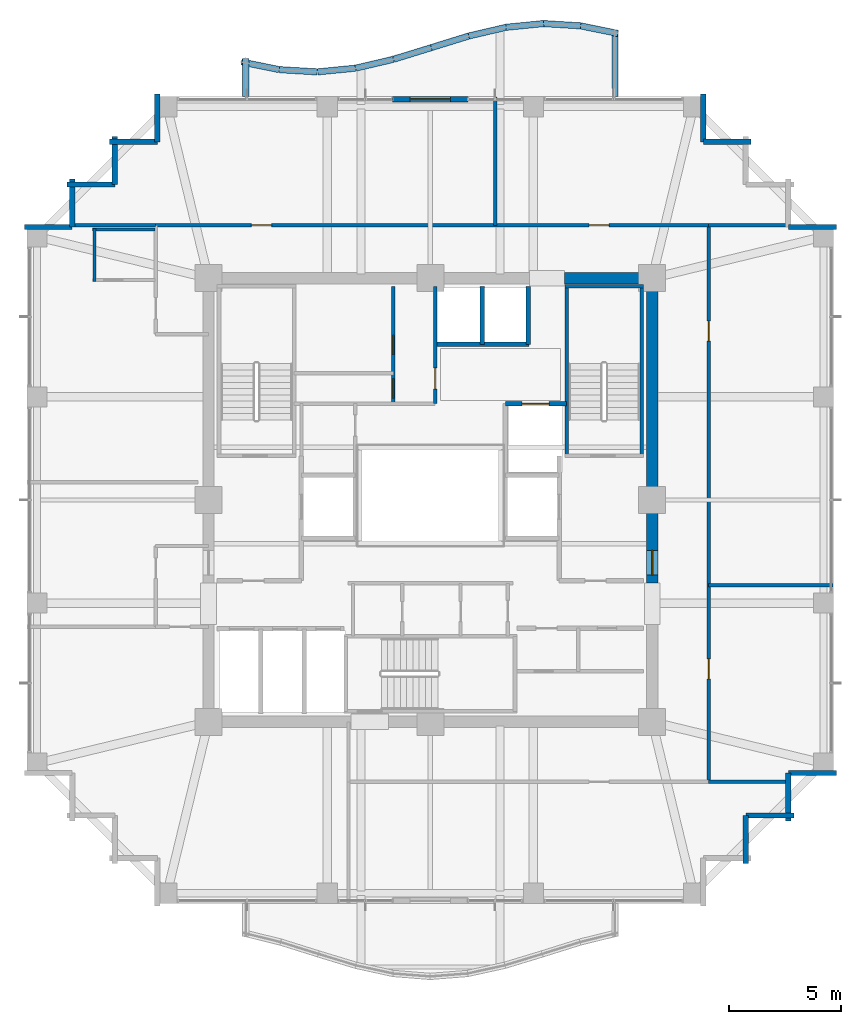
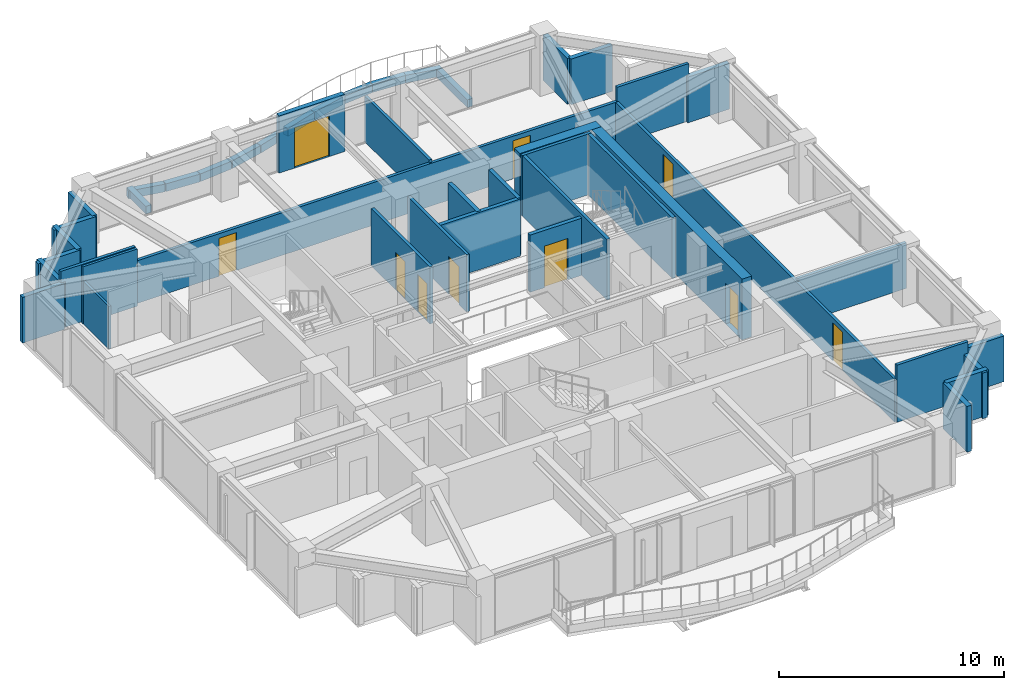
# One storey, part 28 of 31: 46 walls, 10 doors, 10 openings.
"""IFC4 building model written with IfcOpenShell, lengths in metres."""

from ifc_helpers import new_model, si_unit, direction, frame, frame_2d, origin, place, context, subcontext, project, spatial, rectangle, extrude, material, layer, layer_set, type_object, element, fill, save


model = new_model("IFC4")

# Units and contexts
model_context = context("Model", 3, precision=1e-05, world=origin(), true_north=direction((0.0, 1.0)))
body_context = subcontext(model_context, "Body", "Model", "MODEL_VIEW")
ifc_project = project(units=[si_unit("LENGTHUNIT", "METRE"), si_unit("AREAUNIT", "SQUARE_METRE"), si_unit("VOLUMEUNIT", "CUBIC_METRE"), si_unit("PLANEANGLEUNIT", "RADIAN"), si_unit("MASSUNIT", "GRAM", prefix="KILO")], contexts=[model_context])

# Site, building, storey
site_placement = place(None, origin())
site = spatial("IfcSite", under=ifc_project, at=site_placement, CompositionType="ELEMENT")
building_placement = place(site_placement, origin())
building = spatial("IfcBuilding", under=site, at=building_placement, Name="Kolvaren Belvedere", CompositionType="ELEMENT")
storey_placement = place(building_placement, frame((0.0, 0.0, 138.199951171875)))
storey = spatial("IfcBuildingStorey", under=building, at=storey_placement, Name="L40", CompositionType="ELEMENT", Elevation=138.199951171875)

# Wall
ifc_material_1 = material(Name="Concrete C50/60", Category="concrete")
ifc_layer_1 = layer(ifc_material_1, 0.5)
ifc_layer_set_1 = layer_set([ifc_layer_1], Name="Concrete C50/60")
wall_type_1 = type_object("IfcWallType", Name="CW-CORE-500", PredefinedType="SHEAR", material=ifc_layer_set_1)
wall_1_placement = place(storey_placement, frame((5.97998046875, 9.89990234375, 0.0), z_axis=(0.0, 0.0, 1.0), x_axis=(1.0, 0.0, 0.0)))
element("IfcWall", 1, at=wall_1_placement, inside=storey, type_object=wall_type_1, Name="L40 North Core Shear Wall 2", PredefinedType="SHEAR", context=body_context, shape_type="SweptSolid", body=[
    extrude(rectangle(XDim=4.169921875, YDim=0.5, at=frame_2d((2.0849609375, 0.0))), origin(), (0.0, 0.0, 1.0), 3.300048828125),
])

# Wall, opening, door
wall_2_placement = place(storey_placement, frame((9.89990234375, -3.699951171875, 0.0), z_axis=(0.0, 0.0, 1.0), x_axis=(0.0, 1.0, 0.0)))
wall_2 = element("IfcWall", 2, at=wall_2_placement, inside=storey, type_object=wall_type_1, Name="L40 East Core Shear Wall 2", PredefinedType="SHEAR", context=body_context, shape_type="SweptSolid", body=[
    extrude(rectangle(XDim=13.349853515625, YDim=0.5, at=frame_2d((6.6748046875, 0.0))), origin(), (0.0, 0.0, 1.0), 3.300048828125),
])
opening_1_placement = place(wall_2_placement, frame((0.35009765625, 0.0, 0.0)))
opening_1 = element("IfcOpeningElement", 3, at=opening_1_placement, cuts=wall_2, Name="Opening D-FD90", PredefinedType="OPENING", context=body_context, shape_type="SweptSolid", body=[
    extrude(rectangle(XDim=1.10009765625, YDim=2.199951171875, at=frame_2d((0.550048828125, 1.10009765625))), frame((0.0, 0.260009765625, 0.0), z_axis=(0.0, -1.0, 0.0), x_axis=(1.0, 0.0, 0.0)), (0.0, 0.0, 1.0), 0.52001953125),
])
ifc_material_2 = material(Name="Painted hollow stainless steel", Category="steel")
door_type_1 = type_object("IfcDoorType", Name="DR-FD90-1100", OperationType="NOTDEFINED", PredefinedType="DOOR", material=ifc_material_2)
door_1_placement = place(opening_1_placement, origin())
door_1 = element("IfcDoor", 4, at=door_1_placement, inside=storey, type_object=door_type_1, Name="L40 East Firefighting Lobby Fire Door", OperationType="SINGLE_SWING_RIGHT", OverallHeight=2.199951171875, OverallWidth=1.10009765625, PredefinedType="DOOR", context=body_context, shape_type="SweptSolid", body=[
    extrude(rectangle(XDim=1.10009765625, YDim=2.199951171875, at=frame_2d((0.550048828125, 1.10009765625))), frame((0.0, 0.02490234375, 0.0), z_axis=(0.0, -1.0, 0.0), x_axis=(1.0, 0.0, 0.0)), (0.0, 0.0, 1.0), 0.050048828125),
])
fill(opening_1, door_1)

# Walls
ifc_material_3 = material(Name="Concrete C50/60", Category="concrete")
ifc_layer_2 = layer(ifc_material_3, 0.159912109375)
ifc_layer_set_2 = layer_set([ifc_layer_2], Name="Concrete C50/60")
wall_type_2 = type_object("IfcWallType", Name="CW-STAIR-160", PredefinedType="SHEAR", material=ifc_layer_set_2)
wall_3_placement = place(storey_placement, frame((6.0, 9.530029296875, 0.0), z_axis=(0.0, 0.0, 1.0), x_axis=(1.0, 0.0, 0.0)))
element("IfcWall", 5, at=wall_3_placement, inside=storey, type_object=wall_type_2, Name="L40 Stair ST-2 North Shear Wall", PredefinedType="SHEAR", context=body_context, shape_type="SweptSolid", body=[
    extrude(rectangle(XDim=3.52001953125, YDim=0.159912109375, at=frame_2d((1.760009765625, 0.0))), origin(), (0.0, 0.0, 1.0), 3.300048828125),
])
for number, where, z_axis, x_axis, name in (
    (6, (6.080078125, 1.969970703125, 0.0), (0.0, 0.0, 1.0), (0.0, 1.0, 0.0), "L40 Stair ST-2 West Shear Wall"),
    (7, (9.429931640625, 1.969970703125, 0.0), (0.0, 0.0, 1.0), (0.0, 1.0, 0.0), "L40 Stair ST-2 East Shear Wall"),
):
    element("IfcWall", number, at=place(storey_placement, frame(where, z_axis=z_axis, x_axis=x_axis)), inside=storey, type_object=wall_type_2, Name=name, PredefinedType="SHEAR", context=body_context, shape_type="SweptSolid", body=[
        extrude(rectangle(XDim=7.56005859375, YDim=0.159912109375, at=frame_2d((3.780029296875, 0.0))), origin(), (0.0, 0.0, 1.0), 3.300048828125),
    ])

# Wall, openings, doors
ifc_material_4 = material(Name="Gypsum fire-rated partition assembly", Category="gypsum")
ifc_layer_3 = layer(ifc_material_4, 0.14990234375)
ifc_layer_set_3 = layer_set([ifc_layer_3], Name="Gypsum fire-rated partition assembly")
wall_type_3 = type_object("IfcWallType", Name="WL-CORR-150", PredefinedType="PARTITIONING", material=ifc_layer_set_3)
wall_4_placement = place(storey_placement, frame((-12.260009765625, 12.260009765625, 0.0), z_axis=(0.0, 0.0, 1.0), x_axis=(1.0, 0.0, 0.0)))
wall_4 = element("IfcWall", 8, at=wall_4_placement, inside=storey, type_object=wall_type_3, Name="L40 North Corridor Wall", PredefinedType="PARTITIONING", context=body_context, shape_type="SweptSolid", body=[
    extrude(rectangle(XDim=24.679931640625, YDim=0.14990234375, at=frame_2d((12.33984375, 0.0))), origin(), (0.0, 0.0, 1.0), 2.31201171875),
])
opening_2_placement = place(wall_4_placement, frame((4.27490234375, 0.0, 0.0)))
opening_2 = element("IfcOpeningElement", 9, at=opening_2_placement, cuts=wall_4, Name="Opening D-INT90", PredefinedType="OPENING", context=body_context, shape_type="SweptSolid", body=[
    extrude(rectangle(XDim=0.89990234375, YDim=2.06005859375, at=frame_2d((0.449951171875, 1.030029296875))), frame((0.0, 0.0849609375, 0.0), z_axis=(0.0, -1.0, 0.0), x_axis=(1.0, 0.0, 0.0)), (0.0, 0.0, 1.0), 0.169921875),
])
opening_3_placement = place(wall_4_placement, frame((19.344970703125, 0.0, 0.0)))
opening_3 = element("IfcOpeningElement", 10, at=opening_3_placement, cuts=wall_4, Name="Opening D-INT90", PredefinedType="OPENING", context=body_context, shape_type="SweptSolid", body=[
    extrude(rectangle(XDim=0.89990234375, YDim=2.06005859375, at=frame_2d((0.449951171875, 1.030029296875))), frame((0.0, 0.0849609375, 0.0), z_axis=(0.0, -1.0, 0.0), x_axis=(1.0, 0.0, 0.0)), (0.0, 0.0, 1.0), 0.169921875),
])
ifc_material_5 = material(Name="Stained Pacific white oak", Category="timber")
door_type_2 = type_object("IfcDoorType", Name="DR-INT-900", OperationType="NOTDEFINED", PredefinedType="DOOR", material=ifc_material_5)
door_2_placement = place(opening_2_placement, origin())
door_2 = element("IfcDoor", 11, at=door_2_placement, inside=storey, type_object=door_type_2, Name="L40 Lounge 4001 Door", OperationType="SINGLE_SWING_LEFT", OverallHeight=2.06005859375, OverallWidth=0.89990234375, PredefinedType="DOOR", context=body_context, shape_type="SweptSolid", body=[
    extrude(rectangle(XDim=0.89990234375, YDim=2.06005859375, at=frame_2d((0.449951171875, 1.030029296875))), frame((0.0, 0.02490234375, 0.0), z_axis=(0.0, -1.0, 0.0), x_axis=(1.0, 0.0, 0.0)), (0.0, 0.0, 1.0), 0.050048828125),
])
fill(opening_2, door_2)
door_3_placement = place(opening_3_placement, origin())
door_3 = element("IfcDoor", 12, at=door_3_placement, inside=storey, type_object=door_type_2, Name="L40 Guest Tea & Espresso Kitchen 4002 Door", OperationType="SINGLE_SWING_RIGHT", OverallHeight=2.06005859375, OverallWidth=0.89990234375, PredefinedType="DOOR", context=body_context, shape_type="SweptSolid", body=[
    extrude(rectangle(XDim=0.89990234375, YDim=2.06005859375, at=frame_2d((0.449951171875, 1.030029296875))), frame((0.0, 0.02490234375, 0.0), z_axis=(0.0, -1.0, 0.0), x_axis=(1.0, 0.0, 0.0)), (0.0, 0.0, 1.0), 0.050048828125),
])
fill(opening_3, door_3)

wall_5_placement = place(storey_placement, frame((12.419921875, -12.580078125, 0.0), z_axis=(0.0, 0.0, 1.0), x_axis=(0.0, 1.0, 0.0)))
wall_5 = element("IfcWall", 13, at=wall_5_placement, inside=storey, type_object=wall_type_3, Name="L40 East Corridor Wall", PredefinedType="PARTITIONING", context=body_context, shape_type="SweptSolid", body=[
    extrude(rectangle(XDim=24.840087890625, YDim=0.14990234375, at=frame_2d((12.419921875, 0.0))), origin(), (0.0, 0.0, 1.0), 2.31201171875),
])
opening_4_placement = place(wall_5_placement, frame((4.594970703125, 0.0, 0.0)))
opening_4 = element("IfcOpeningElement", 14, at=opening_4_placement, cuts=wall_5, Name="Opening D-INT90", PredefinedType="OPENING", context=body_context, shape_type="SweptSolid", body=[
    extrude(rectangle(XDim=0.89990234375, YDim=2.06005859375, at=frame_2d((0.449951171875, 1.030029296875))), frame((0.0, 0.0849609375, 0.0), z_axis=(0.0, -1.0, 0.0), x_axis=(1.0, 0.0, 0.0)), (0.0, 0.0, 1.0), 0.169921875),
])
opening_5_placement = place(wall_5_placement, frame((19.6650390625, 0.0, 0.0)))
opening_5 = element("IfcOpeningElement", 15, at=opening_5_placement, cuts=wall_5, Name="Opening D-INT90", PredefinedType="OPENING", context=body_context, shape_type="SweptSolid", body=[
    extrude(rectangle(XDim=0.89990234375, YDim=2.06005859375, at=frame_2d((0.449951171875, 1.030029296875))), frame((0.0, 0.0849609375, 0.0), z_axis=(0.0, -1.0, 0.0), x_axis=(1.0, 0.0, 0.0)), (0.0, 0.0, 1.0), 0.169921875),
])
door_4_placement = place(opening_4_placement, origin())
door_4 = element("IfcDoor", 16, at=door_4_placement, inside=storey, type_object=door_type_2, Name="L40 Private Hospitality Meeting Room 4003 Door", OperationType="SINGLE_SWING_LEFT", OverallHeight=2.06005859375, OverallWidth=0.89990234375, PredefinedType="DOOR", context=body_context, shape_type="SweptSolid", body=[
    extrude(rectangle(XDim=0.89990234375, YDim=2.06005859375, at=frame_2d((0.449951171875, 1.030029296875))), frame((0.0, 0.02490234375, 0.0), z_axis=(0.0, -1.0, 0.0), x_axis=(1.0, 0.0, 0.0)), (0.0, 0.0, 1.0), 0.050048828125),
])
fill(opening_4, door_4)
door_5_placement = place(opening_5_placement, origin())
door_5 = element("IfcDoor", 17, at=door_5_placement, inside=storey, type_object=door_type_2, Name="L40 Botanical Reading Salon 4004 Door", OperationType="SINGLE_SWING_RIGHT", OverallHeight=2.06005859375, OverallWidth=0.89990234375, PredefinedType="DOOR", context=body_context, shape_type="SweptSolid", body=[
    extrude(rectangle(XDim=0.89990234375, YDim=2.06005859375, at=frame_2d((0.449951171875, 1.030029296875))), frame((0.0, 0.02490234375, 0.0), z_axis=(0.0, -1.0, 0.0), x_axis=(1.0, 0.0, 0.0)), (0.0, 0.0, 1.0), 0.050048828125),
])
fill(opening_5, door_5)

# Walls
ifc_material_6 = material(Name="Insulated pale-metal facade wall assembly", Category="aluminium")
ifc_layer_4 = layer(ifc_material_6, 0.239990234375)
ifc_layer_set_4 = layer_set([ifc_layer_4], Name="Insulated pale-metal facade wall assembly")
wall_type_4 = type_object("IfcWallType", Name="WL-EXT-240", PredefinedType="STANDARD", material=ifc_layer_set_4)
for number, where, z_axis, x_axis, name in (
    (18, (14.080078125, -14.080078125, 0.0), (0.0, 0.0, 1.0), (0.0, -1.0, 0.0), "L40 Serrated Corner Facade Wall 4"),
    (19, (16.219970703125, -14.080078125, 0.0), (0.0, 0.0, 1.0), (-1.0, 0.0, 0.0), "L40 Serrated Corner Facade Wall 5"),
):
    element("IfcWall", number, at=place(storey_placement, frame(where, z_axis=z_axis, x_axis=x_axis)), inside=storey, type_object=wall_type_4, Name=name, PredefinedType="STANDARD", context=body_context, shape_type="SweptSolid", body=[
        extrude(rectangle(XDim=2.139892578125, YDim=0.239990234375, at=frame_2d((1.06982421875, 0.0))), origin(), (0.0, 0.0, 1.0), 2.47900390625),
    ])
for number, where, z_axis, x_axis, name in (
    (20, (15.97998046875, -12.179931640625, 0.0), (0.0, 0.0, 1.0), (0.0, -1.0, 0.0), "L40 Serrated Corner Facade Wall 6"),
    (21, (18.1201171875, -12.179931640625, 0.0), (0.0, 0.0, 1.0), (-1.0, 0.0, 0.0), "L40 Serrated Corner Facade Wall 7"),
    (22, (15.97998046875, 12.179931640625, 0.0), (0.0, 0.0, 1.0), (1.0, 0.0, 0.0), "L40 Serrated Corner Facade Wall 9"),
    (23, (12.179931640625, 15.97998046875, 0.0), (0.0, 0.0, 1.0), (1.0, 0.0, 0.0), "L40 Serrated Corner Facade Wall 13"),
    (24, (12.179931640625, 18.1201171875, 0.0), (0.0, 0.0, 1.0), (0.0, -1.0, 0.0), "L40 Serrated Corner Facade Wall 14"),
):
    element("IfcWall", number, at=place(storey_placement, frame(where, z_axis=z_axis, x_axis=x_axis)), inside=storey, type_object=wall_type_4, Name=name, PredefinedType="STANDARD", context=body_context, shape_type="SweptSolid", body=[
        extrude(rectangle(XDim=2.14013671875, YDim=0.239990234375, at=frame_2d((1.070068359375, 0.0))), origin(), (0.0, 0.0, 1.0), 2.47900390625),
    ])

# Wall, opening, door
wall_6_placement = place(storey_placement, frame((-1.679931640625, 17.8798828125, 0.0), z_axis=(0.0, 0.0, 1.0), x_axis=(1.0, 0.0, 0.0)))
wall_6 = element("IfcWall", 25, at=wall_6_placement, inside=storey, type_object=wall_type_4, Name="L40 North Terrace Portal Wall", PredefinedType="STANDARD", context=body_context, shape_type="SweptSolid", body=[
    extrude(rectangle(XDim=3.35986328125, YDim=0.239990234375, at=frame_2d((1.679931640625, 0.0))), origin(), (0.0, 0.0, 1.0), 3.10009765625),
])
opening_6_placement = place(wall_6_placement, frame((0.780029296875, 0.0, 0.0)))
opening_6 = element("IfcOpeningElement", 26, at=opening_6_placement, cuts=wall_6, Name="Opening DB-1800", PredefinedType="OPENING", context=body_context, shape_type="SweptSolid", body=[
    extrude(rectangle(XDim=1.800048828125, YDim=2.199951171875, at=frame_2d((0.89990234375, 1.10009765625))), frame((0.0, 0.1298828125, 0.0), z_axis=(0.0, -1.0, 0.0), x_axis=(1.0, 0.0, 0.0)), (0.0, 0.0, 1.0), 0.260009765625),
])
ifc_material_7 = material(Name="Thermally broken pale-metal aluminium & low-iron glass", Category="aluminium")
door_type_3 = type_object("IfcDoorType", Name="DR-BAL-1800", OperationType="DOUBLE_DOOR_SLIDING", PredefinedType="DOOR", material=ifc_material_7)
door_6_placement = place(opening_6_placement, origin())
door_6 = element("IfcDoor", 27, at=door_6_placement, inside=storey, type_object=door_type_3, Name="L40 North Planted Terrace Sliding Door", OperationType="DOUBLE_DOOR_SLIDING", OverallHeight=2.199951171875, OverallWidth=1.800048828125, PredefinedType="DOOR", context=body_context, shape_type="SweptSolid", body=[
    extrude(rectangle(XDim=1.800048828125, YDim=2.199951171875, at=frame_2d((0.89990234375, 1.10009765625))), frame((0.0, 0.02490234375, 0.0), z_axis=(0.0, -1.0, 0.0), x_axis=(1.0, 0.0, 0.0)), (0.0, 0.0, 1.0), 0.050048828125),
])
fill(opening_6, door_6)

# Walls
for number, where, z_axis, x_axis, name in (
    (28, (-12.179931640625, 15.97998046875, 0.0), (0.0, 0.0, 1.0), (0.0, 1.0, 0.0), "L40 Serrated Corner Facade Wall 16"),
    (29, (-14.320068359375, 15.97998046875, 0.0), (0.0, 0.0, 1.0), (1.0, 0.0, 0.0), "L40 Serrated Corner Facade Wall 17"),
):
    element("IfcWall", number, at=place(storey_placement, frame(where, z_axis=z_axis, x_axis=x_axis)), inside=storey, type_object=wall_type_4, Name=name, PredefinedType="STANDARD", context=body_context, shape_type="SweptSolid", body=[
        extrude(rectangle(XDim=2.14013671875, YDim=0.239990234375, at=frame_2d((1.070068359375, 0.0))), origin(), (0.0, 0.0, 1.0), 2.47900390625),
    ])
for number, where, z_axis, x_axis, name in (
    (30, (-14.080078125, 14.080078125, 0.0), (0.0, 0.0, 1.0), (0.0, 1.0, 0.0), "L40 Serrated Corner Facade Wall 18"),
    (31, (-16.219970703125, 14.080078125, 0.0), (0.0, 0.0, 1.0), (1.0, 0.0, 0.0), "L40 Serrated Corner Facade Wall 19"),
):
    element("IfcWall", number, at=place(storey_placement, frame(where, z_axis=z_axis, x_axis=x_axis)), inside=storey, type_object=wall_type_4, Name=name, PredefinedType="STANDARD", context=body_context, shape_type="SweptSolid", body=[
        extrude(rectangle(XDim=2.139892578125, YDim=0.239990234375, at=frame_2d((1.06982421875, 0.0))), origin(), (0.0, 0.0, 1.0), 2.47900390625),
    ])
for number, where, z_axis, x_axis, name in (
    (32, (-15.97998046875, 12.179931640625, 0.0), (0.0, 0.0, 1.0), (0.0, 1.0, 0.0), "L40 Serrated Corner Facade Wall 20"),
    (33, (-18.1201171875, 12.179931640625, 0.0), (0.0, 0.0, 1.0), (1.0, 0.0, 0.0), "L40 Serrated Corner Facade Wall 21"),
):
    element("IfcWall", number, at=place(storey_placement, frame(where, z_axis=z_axis, x_axis=x_axis)), inside=storey, type_object=wall_type_4, Name=name, PredefinedType="STANDARD", context=body_context, shape_type="SweptSolid", body=[
        extrude(rectangle(XDim=2.14013671875, YDim=0.239990234375, at=frame_2d((1.070068359375, 0.0))), origin(), (0.0, 0.0, 1.0), 2.47900390625),
    ])

# Wall, opening, door
ifc_material_8 = material(Name="Gypsum acoustic partition assembly", Category="gypsum")
ifc_layer_5 = layer(ifc_material_8, 0.14990234375)
ifc_layer_set_5 = layer_set([ifc_layer_5], Name="Gypsum acoustic partition assembly")
wall_type_5 = type_object("IfcWallType", Name="WL-PART-150", PredefinedType="PARTITIONING", material=ifc_layer_set_5)
wall_7_placement = place(storey_placement, frame((0.219970703125, 4.300048828125, 0.0), z_axis=(0.0, 0.0, 1.0), x_axis=(0.0, 1.0, 0.0)))
wall_7 = element("IfcWall", 34, at=wall_7_placement, inside=storey, type_object=wall_type_5, Name="L40 Reclaimed Salon East Wall", PredefinedType="PARTITIONING", context=body_context, shape_type="SweptSolid", body=[
    extrude(rectangle(XDim=5.219970703125, YDim=0.14990234375, at=frame_2d((2.60986328125, 0.0))), origin(), (0.0, 0.0, 1.0), 3.10009765625),
])
opening_7_placement = place(wall_7_placement, frame((0.64990234375, 0.0, 0.0)))
opening_7 = element("IfcOpeningElement", 35, at=opening_7_placement, cuts=wall_7, Name="Opening D-INT95", PredefinedType="OPENING", context=body_context, shape_type="SweptSolid", body=[
    extrude(rectangle(XDim=0.949951171875, YDim=2.06005859375, at=frame_2d((0.47509765625, 1.030029296875))), frame((0.0, 0.0849609375, 0.0), z_axis=(0.0, -1.0, 0.0), x_axis=(1.0, 0.0, 0.0)), (0.0, 0.0, 1.0), 0.169921875),
])
ifc_material_9 = material(Name="Stained Pacific white oak", Category="timber")
door_type_4 = type_object("IfcDoorType", Name="DR-INT-950", OperationType="NOTDEFINED", PredefinedType="DOOR", material=ifc_material_9)
door_7_placement = place(opening_7_placement, origin())
door_7 = element("IfcDoor", 36, at=door_7_placement, inside=storey, type_object=door_type_4, Name="L40 Wellness Tearoom Door", OperationType="SINGLE_SWING_LEFT", OverallHeight=2.06005859375, OverallWidth=0.949951171875, PredefinedType="DOOR", context=body_context, shape_type="SweptSolid", body=[
    extrude(rectangle(XDim=0.949951171875, YDim=2.06005859375, at=frame_2d((0.47509765625, 1.030029296875))), frame((0.0, 0.02490234375, 0.0), z_axis=(0.0, -1.0, 0.0), x_axis=(1.0, 0.0, 0.0)), (0.0, 0.0, 1.0), 0.050048828125),
])
fill(opening_7, door_7)

# Wall, openings, doors
wall_8_placement = place(storey_placement, frame((-1.64990234375, 4.300048828125, 0.0), z_axis=(0.0, 0.0, 1.0), x_axis=(0.0, 1.0, 0.0)))
wall_8 = element("IfcWall", 37, at=wall_8_placement, inside=storey, type_object=wall_type_5, Name="L40 Reclaimed Tearoom V-Divider", PredefinedType="PARTITIONING", context=body_context, shape_type="SweptSolid", body=[
    extrude(rectangle(XDim=5.219970703125, YDim=0.14990234375, at=frame_2d((2.60986328125, 0.0))), origin(), (0.0, 0.0, 1.0), 3.10009765625),
])
opening_8_placement = place(wall_8_placement, frame((2.199951171875, 0.0, 0.0)))
opening_8 = element("IfcOpeningElement", 38, at=opening_8_placement, cuts=wall_8, Name="Opening D-INT85", PredefinedType="OPENING", context=body_context, shape_type="SweptSolid", body=[
    extrude(rectangle(XDim=0.85009765625, YDim=2.030029296875, at=frame_2d((0.425048828125, 1.01513671875))), frame((0.0, 0.0849609375, 0.0), z_axis=(0.0, -1.0, 0.0), x_axis=(1.0, 0.0, 0.0)), (0.0, 0.0, 1.0), 0.169921875),
])
opening_9_placement = place(wall_8_placement, frame((0.25, 0.0, 0.0)))
opening_9 = element("IfcOpeningElement", 39, at=opening_9_placement, cuts=wall_8, Name="Opening D-INT85", PredefinedType="OPENING", context=body_context, shape_type="SweptSolid", body=[
    extrude(rectangle(XDim=0.85009765625, YDim=2.030029296875, at=frame_2d((0.425048828125, 1.01513671875))), frame((0.0, 0.0849609375, 0.0), z_axis=(0.0, -1.0, 0.0), x_axis=(1.0, 0.0, 0.0)), (0.0, 0.0, 1.0), 0.169921875),
])
ifc_material_10 = material(Name="Stained Pacific white oak", Category="timber")
door_type_5 = type_object("IfcDoorType", Name="DR-INT-850", OperationType="NOTDEFINED", PredefinedType="DOOR", material=ifc_material_10)
door_8_placement = place(opening_8_placement, origin())
door_8 = element("IfcDoor", 40, at=door_8_placement, inside=storey, type_object=door_type_5, Name="L40 Meditation Room Door", OperationType="SINGLE_SWING_RIGHT", OverallHeight=2.030029296875, OverallWidth=0.85009765625, PredefinedType="DOOR", context=body_context, shape_type="SweptSolid", body=[
    extrude(rectangle(XDim=0.85009765625, YDim=2.030029296875, at=frame_2d((0.425048828125, 1.01513671875))), frame((0.0, 0.02490234375, 0.0), z_axis=(0.0, -1.0, 0.0), x_axis=(1.0, 0.0, 0.0)), (0.0, 0.0, 1.0), 0.050048828125),
])
fill(opening_8, door_8)
door_9_placement = place(opening_9_placement, origin())
door_9 = element("IfcDoor", 41, at=door_9_placement, inside=storey, type_object=door_type_5, Name="L40 Herbal Closet Door", OperationType="SINGLE_SWING_RIGHT", OverallHeight=2.030029296875, OverallWidth=0.85009765625, PredefinedType="DOOR", context=body_context, shape_type="SweptSolid", body=[
    extrude(rectangle(XDim=0.85009765625, YDim=2.030029296875, at=frame_2d((0.425048828125, 1.01513671875))), frame((0.0, 0.02490234375, 0.0), z_axis=(0.0, -1.0, 0.0), x_axis=(1.0, 0.0, 0.0)), (0.0, 0.0, 1.0), 0.050048828125),
])
fill(opening_9, door_9)

# Walls
wall_9_placement = place(storey_placement, frame((12.419921875, -12.580078125, 0.0), z_axis=(0.0, 0.0, 1.0), x_axis=(1.0, 0.0, 0.0)))
element("IfcWall", 42, at=wall_9_placement, inside=storey, type_object=wall_type_5, Name="L40 Wing Divider PW-L40-QSE", PredefinedType="PARTITIONING", context=body_context, shape_type="SweptSolid", body=[
    extrude(rectangle(XDim=3.66015625, YDim=0.14990234375, at=frame_2d((1.830078125, 0.0))), origin(), (0.0, 0.0, 1.0), 3.10009765625),
])
wall_10_placement = place(storey_placement, frame((-16.09619140625, 12.260009765625, 0.0), z_axis=(0.0, 0.0, 1.0), x_axis=(1.0, 0.0, 0.0)))
element("IfcWall", 43, at=wall_10_placement, inside=storey, type_object=wall_type_5, Name="L40 Wing Divider PW-L40-QNW", PredefinedType="PARTITIONING", context=body_context, shape_type="SweptSolid", body=[
    extrude(rectangle(XDim=3.836181640625, YDim=0.14990234375, at=frame_2d((1.91796875, 0.0))), origin(), (0.0, 0.0, 1.0), 3.10009765625),
])
wall_11_placement = place(storey_placement, frame((12.419921875, 12.260009765625, 0.0), z_axis=(0.0, 0.0, 1.0), x_axis=(1.0, 0.0, 0.0)))
element("IfcWall", 44, at=wall_11_placement, inside=storey, type_object=wall_type_5, Name="L40 Wing Divider PW-L40-QNE", PredefinedType="PARTITIONING", context=body_context, shape_type="SweptSolid", body=[
    extrude(rectangle(XDim=3.67626953125, YDim=0.14990234375, at=frame_2d((1.838134765625, 0.0))), origin(), (0.0, 0.0, 1.0), 3.10009765625),
])
wall_12_placement = place(storey_placement, frame((2.89990234375, 12.260009765625, 0.0), z_axis=(0.0, 0.0, 1.0), x_axis=(0.0, 1.0, 0.0)))
element("IfcWall", 45, at=wall_12_placement, inside=storey, type_object=wall_type_5, Name="L40 North Suite Demising Wall 1", PredefinedType="PARTITIONING", context=body_context, shape_type="SweptSolid", body=[
    extrude(rectangle(XDim=5.719970703125, YDim=0.14990234375, at=frame_2d((2.85986328125, 0.0))), origin(), (0.0, 0.0, 1.0), 2.468994140625),
])
wall_13_placement = place(storey_placement, frame((12.419921875, -3.800048828125, 0.0), z_axis=(0.0, 0.0, 1.0), x_axis=(1.0, 0.0, 0.0)))
element("IfcWall", 46, at=wall_13_placement, inside=storey, type_object=wall_type_5, Name="L40 East Suite Demising Wall 1", PredefinedType="PARTITIONING", context=body_context, shape_type="SweptSolid", body=[
    extrude(rectangle(XDim=5.56005859375, YDim=0.14990234375, at=frame_2d((2.780029296875, 0.0))), origin(), (0.0, 0.0, 1.0), 2.468994140625),
])
ifc_material_11 = material(Name="Precast concrete C40/50", Category="concrete")
ifc_layer_6 = layer(ifc_material_11, 0.300048828125)
ifc_layer_set_6 = layer_set([ifc_layer_6], Name="Precast concrete C40/50")
wall_type_6 = type_object("IfcWallType", Name="WL-PLANTER-300", PredefinedType="PARAPET", material=ifc_layer_set_6)
wall_14_placement = place(storey_placement, frame((8.239990234375, 18.0, -0.02001953125), z_axis=(0.0, 0.0, 1.0), x_axis=(0.0, 1.0, 0.0)))
element("IfcWall", 47, at=wall_14_placement, inside=storey, type_object=wall_type_6, Name="L40 Precast Structural Planter Wall BAL-N-11", PredefinedType="PARAPET", context=body_context, shape_type="SweptSolid", body=[
    extrude(rectangle(XDim=2.974853515625, YDim=0.280029296875, at=frame_2d((1.4873046875, 0.0))), origin(), (0.0, 0.0, 1.0), 0.420166015625),
])
wall_15_placement = place(storey_placement, frame((8.367919921875, 20.818115234375, -0.02001953125), z_axis=(0.0, 0.0, 1.0), x_axis=(-0.979867779516, 0.199647526069, 0.0)))
element("IfcWall", 48, at=wall_15_placement, inside=storey, type_object=wall_type_6, Name="L40 Precast Structural Planter Wall BAL-N-12", PredefinedType="PARAPET", context=body_context, shape_type="SweptSolid", body=[
    extrude(rectangle(XDim=1.71435546875, YDim=0.280029296875, at=frame_2d((0.857177734375, 0.0))), origin(), (0.0, 0.0, 1.0), 0.420166015625),
])
wall_16_placement = place(storey_placement, frame((6.710205078125, 21.157470703125, -0.02001953125), z_axis=(0.0, 0.0, 1.0), x_axis=(-0.998133560666, 0.061068773295, 0.0)))
element("IfcWall", 49, at=wall_16_placement, inside=storey, type_object=wall_type_6, Name="L40 Precast Structural Planter Wall BAL-N-13", PredefinedType="PARAPET", context=body_context, shape_type="SweptSolid", body=[
    extrude(rectangle(XDim=1.68310546875, YDim=0.280029296875, at=frame_2d((0.841552734375, 0.0))), origin(), (0.0, 0.0, 1.0), 0.420166015625),
])
wall_17_placement = place(storey_placement, frame((5.055908203125, 21.2607421875, -0.02001953125), z_axis=(0.0, 0.0, 1.0), x_axis=(-0.995038621856, -0.099489401517, 0.0)))
element("IfcWall", 50, at=wall_17_placement, inside=storey, type_object=wall_type_6, Name="L40 Precast Structural Planter Wall BAL-N-14", PredefinedType="PARAPET", context=body_context, shape_type="SweptSolid", body=[
    extrude(rectangle(XDim=1.688232421875, YDim=0.280029296875, at=frame_2d((0.84423828125, 0.0))), origin(), (0.0, 0.0, 1.0), 0.420166015625),
])
wall_18_placement = place(storey_placement, frame((3.396240234375, 21.09619140625, -0.02001953125), z_axis=(0.0, 0.0, 1.0), x_axis=(-0.973890253884, -0.227019323824, 0.0)))
element("IfcWall", 51, at=wall_18_placement, inside=storey, type_object=wall_type_6, Name="L40 Precast Structural Planter Wall BAL-N-15", PredefinedType="PARAPET", context=body_context, shape_type="SweptSolid", body=[
    extrude(rectangle(XDim=1.724853515625, YDim=0.280029296875, at=frame_2d((0.8623046875, 0.0))), origin(), (0.0, 0.0, 1.0), 0.420166015625),
])
wall_19_placement = place(storey_placement, frame((1.727294921875, 20.70751953125, -0.02001953125), z_axis=(0.0, 0.0, 1.0), x_axis=(-0.95524013163, -0.295831524561, 0.0)))
element("IfcWall", 52, at=wall_19_placement, inside=storey, type_object=wall_type_6, Name="L40 Precast Structural Planter Wall BAL-N-16", PredefinedType="PARAPET", context=body_context, shape_type="SweptSolid", body=[
    extrude(rectangle(XDim=1.758544921875, YDim=0.280029296875, at=frame_2d((0.87939453125, 0.0))), origin(), (0.0, 0.0, 1.0), 0.420166015625),
])
wall_20_placement = place(storey_placement, frame((0.04736328125, 20.187255859375, -0.02001953125), z_axis=(0.0, 0.0, 1.0), x_axis=(-0.955252278476, -0.29579229954, 0.0)))
element("IfcWall", 53, at=wall_20_placement, inside=storey, type_object=wall_type_6, Name="L40 Precast Structural Planter Wall BAL-N-17", PredefinedType="PARAPET", context=body_context, shape_type="SweptSolid", body=[
    extrude(rectangle(XDim=1.7587890625, YDim=0.280029296875, at=frame_2d((0.87939453125, 0.0))), origin(), (0.0, 0.0, 1.0), 0.420166015625),
])
wall_21_placement = place(storey_placement, frame((-1.643798828125, 19.663818359375, -0.02001953125), z_axis=(0.0, 0.0, 1.0), x_axis=(-0.973890253884, -0.227019323824, 0.0)))
element("IfcWall", 54, at=wall_21_placement, inside=storey, type_object=wall_type_6, Name="L40 Precast Structural Planter Wall BAL-N-18", PredefinedType="PARAPET", context=body_context, shape_type="SweptSolid", body=[
    extrude(rectangle(XDim=1.724853515625, YDim=0.280029296875, at=frame_2d((0.8623046875, 0.0))), origin(), (0.0, 0.0, 1.0), 0.420166015625),
])
wall_22_placement = place(storey_placement, frame((-3.34423828125, 19.268798828125, -0.02001953125), z_axis=(0.0, 0.0, 1.0), x_axis=(-0.995153897624, -0.098329649867, 0.0)))
element("IfcWall", 55, at=wall_22_placement, inside=storey, type_object=wall_type_6, Name="L40 Precast Structural Planter Wall BAL-N-19", PredefinedType="PARAPET", context=body_context, shape_type="SweptSolid", body=[
    extrude(rectangle(XDim=1.6884765625, YDim=0.280029296875, at=frame_2d((0.84423828125, 0.0))), origin(), (0.0, 0.0, 1.0), 0.420166015625),
])
wall_23_placement = place(storey_placement, frame((-5.049560546875, 19.102294921875, -0.02001953125), z_axis=(0.0, 0.0, 1.0), x_axis=(-0.998203631072, 0.059912527196, 0.0)))
element("IfcWall", 56, at=wall_23_placement, inside=storey, type_object=wall_type_6, Name="L40 Precast Structural Planter Wall BAL-N-20", PredefinedType="PARAPET", context=body_context, shape_type="SweptSolid", body=[
    extrude(rectangle(XDim=1.682861328125, YDim=0.280029296875, at=frame_2d((0.84130859375, 0.0))), origin(), (0.0, 0.0, 1.0), 0.420166015625),
])
wall_24_placement = place(storey_placement, frame((-6.751953125, 19.2060546875, -0.02001953125), z_axis=(0.0, 0.0, 1.0), x_axis=(-0.979867779516, 0.199647526069, 0.0)))
element("IfcWall", 57, at=wall_24_placement, inside=storey, type_object=wall_type_6, Name="L40 Precast Structural Planter Wall BAL-N-21", PredefinedType="PARAPET", context=body_context, shape_type="SweptSolid", body=[
    extrude(rectangle(XDim=1.71435546875, YDim=0.280029296875, at=frame_2d((0.857177734375, 0.0))), origin(), (0.0, 0.0, 1.0), 0.420166015625),
])
wall_25_placement = place(storey_placement, frame((-8.239990234375, 19.705078125, -0.02001953125), z_axis=(0.0, 0.0, 1.0), x_axis=(0.0, -1.0, 0.0)))
element("IfcWall", 58, at=wall_25_placement, inside=storey, type_object=wall_type_6, Name="L40 Precast Structural Planter Wall BAL-N-22", PredefinedType="PARAPET", context=body_context, shape_type="SweptSolid", body=[
    extrude(rectangle(XDim=1.705078125, YDim=0.280029296875, at=frame_2d((0.8525390625, 0.0))), origin(), (0.0, 0.0, 1.0), 0.420166015625),
])

# Wall, opening, door
ifc_material_12 = material(Name="Concrete C50/60", Category="concrete")
ifc_layer_7 = layer(ifc_material_12, 0.199951171875)
ifc_layer_set_7 = layer_set([ifc_layer_7], Name="Concrete C50/60")
wall_type_7 = type_object("IfcWallType", Name="WL-SHAFT-200", PredefinedType="SOLIDWALL", material=ifc_layer_set_7)
wall_26_placement = place(storey_placement, frame((3.35009765625, 4.300048828125, 0.0), z_axis=(0.0, 0.0, 1.0), x_axis=(1.0, 0.0, 0.0)))
wall_26 = element("IfcWall", 59, at=wall_26_placement, inside=storey, type_object=wall_type_7, Name="L40 Service Lift SV1 Front Wall", PredefinedType="SOLIDWALL", context=body_context, shape_type="SweptSolid", body=[
    extrude(rectangle(XDim=2.72998046875, YDim=0.199951171875, at=frame_2d((1.364990234375, 0.0))), origin(), (0.0, 0.0, 1.0), 3.10009765625),
])
opening_10_placement = place(wall_26_placement, frame((0.75, 0.0, 0.0)))
opening_10 = element("IfcOpeningElement", 60, at=opening_10_placement, cuts=wall_26, Name="Opening LD-12", PredefinedType="OPENING", context=body_context, shape_type="SweptSolid", body=[
    extrude(rectangle(XDim=1.199951171875, YDim=2.25, at=frame_2d((0.60009765625, 1.125))), frame((0.0, 0.10986328125, 0.0), z_axis=(0.0, -1.0, 0.0), x_axis=(1.0, 0.0, 0.0)), (0.0, 0.0, 1.0), 0.219970703125),
])
ifc_material_13 = material(Name="Brushed stainless steel", Category="steel")
door_type_6 = type_object("IfcDoorType", Name="DR-LIFT-1200", OperationType="DOUBLE_DOOR_SLIDING", PredefinedType="DOOR", material=ifc_material_13)
door_10_placement = place(opening_10_placement, origin())
door_10 = element("IfcDoor", 61, at=door_10_placement, inside=storey, type_object=door_type_6, Name="L40 Service Lift SV1 Landing Door", OperationType="DOUBLE_DOOR_SLIDING", OverallHeight=2.25, OverallWidth=1.199951171875, PredefinedType="DOOR", context=body_context, shape_type="SweptSolid", body=[
    extrude(rectangle(XDim=1.199951171875, YDim=2.25, at=frame_2d((0.60009765625, 1.125))), frame((0.0, 0.02490234375, 0.0), z_axis=(0.0, -1.0, 0.0), x_axis=(1.0, 0.0, 0.0)), (0.0, 0.0, 1.0), 0.050048828125),
])
fill(opening_10, door_10)

# Walls
wall_27_placement = place(storey_placement, frame((0.219970703125, 6.949951171875, 0.0), z_axis=(0.0, 0.0, 1.0), x_axis=(1.0, 0.0, 0.0)))
element("IfcWall", 62, at=wall_27_placement, inside=storey, type_object=wall_type_7, Name="L40 Express Shuttle Hoistway Wall", PredefinedType="SOLIDWALL", context=body_context, shape_type="SweptSolid", body=[
    extrude(rectangle(XDim=4.179931640625, YDim=0.199951171875, at=frame_2d((2.08984375, 0.0))), origin(), (0.0, 0.0, 1.0), 3.10009765625),
])
for number, where, z_axis, x_axis, name in (
    (63, (4.3798828125, 6.949951171875, 0.0), (0.0, 0.0, 1.0), (0.0, 1.0, 0.0), "L40 Express Shuttle East Wall"),
    (64, (2.31005859375, 6.949951171875, 0.0), (0.0, 0.0, 1.0), (0.0, 1.0, 0.0), "L40 Express Shuttle Divider"),
):
    element("IfcWall", number, at=place(storey_placement, frame(where, z_axis=z_axis, x_axis=x_axis)), inside=storey, type_object=wall_type_7, Name=name, PredefinedType="SOLIDWALL", context=body_context, shape_type="SweptSolid", body=[
        extrude(rectangle(XDim=2.570068359375, YDim=0.199951171875, at=frame_2d((1.28515625, 0.0))), origin(), (0.0, 0.0, 1.0), 3.10009765625),
    ])
ifc_material_14 = material(Name="Moisture-resistant gypsum partition", Category="gypsum")
ifc_layer_8 = layer(ifc_material_14, 0.125)
ifc_layer_set_8 = layer_set([ifc_layer_8], Name="Moisture-resistant gypsum partition")
wall_type_8 = type_object("IfcWallType", Name="WL-WET-125", PredefinedType="PARTITIONING", material=ifc_layer_set_8)
wall_28_placement = place(storey_placement, frame((-14.985107421875, 9.7548828125, 0.0), z_axis=(0.0, 0.0, 1.0), x_axis=(0.0, 1.0, 0.0)))
element("IfcWall", 65, at=wall_28_placement, inside=storey, type_object=wall_type_8, Name="L40 Bathroom Partition PW-L40-BTH-5-V", PredefinedType="PARTITIONING", context=body_context, shape_type="SweptSolid", body=[
    extrude(rectangle(XDim=2.3701171875, YDim=0.125, at=frame_2d((1.18505859375, 0.0))), origin(), (0.0, 0.0, 1.0), 2.31201171875),
])
wall_29_placement = place(storey_placement, frame((-15.06494140625, 12.06494140625, 0.0), z_axis=(0.0, 0.0, 1.0), x_axis=(1.0, 0.0, 0.0)))
element("IfcWall", 66, at=wall_29_placement, inside=storey, type_object=wall_type_8, Name="L40 Bathroom Partition PW-L40-BTH-5-S", PredefinedType="PARTITIONING", context=body_context, shape_type="SweptSolid", body=[
    extrude(rectangle(XDim=2.7900390625, YDim=0.125, at=frame_2d((1.39501953125, 0.0))), origin(), (0.0, 0.0, 1.0), 3.10009765625),
])

save(model, "model.ifc")
